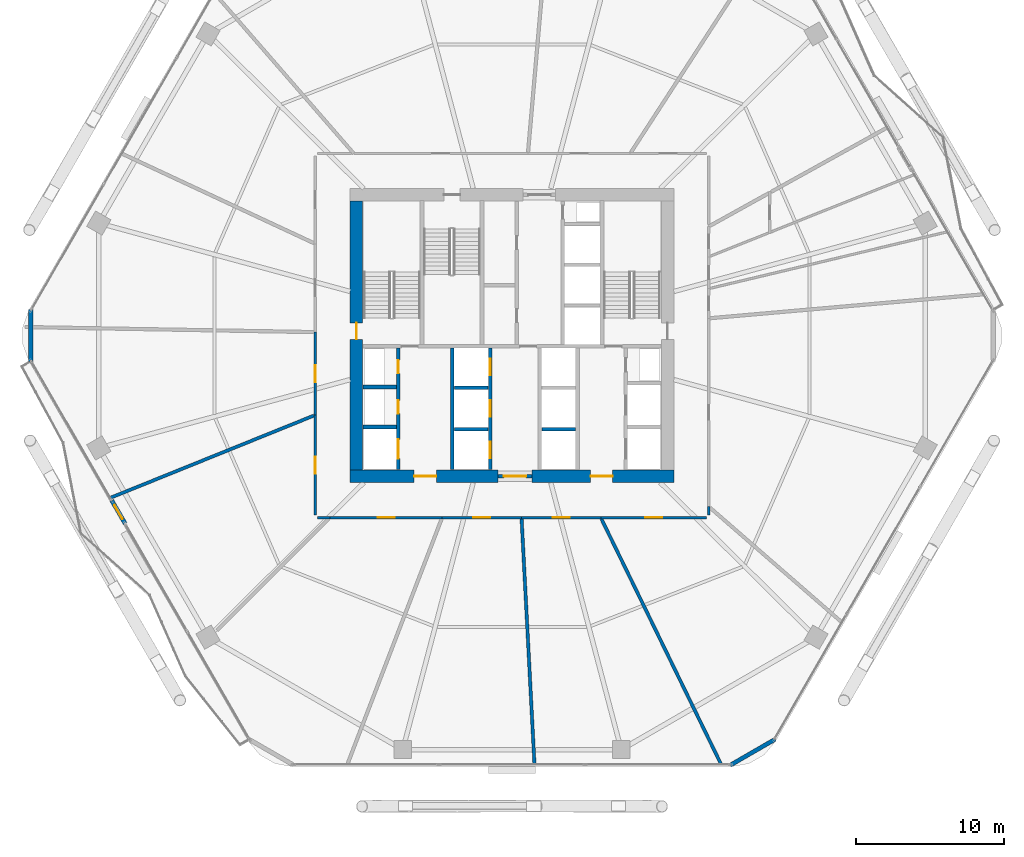
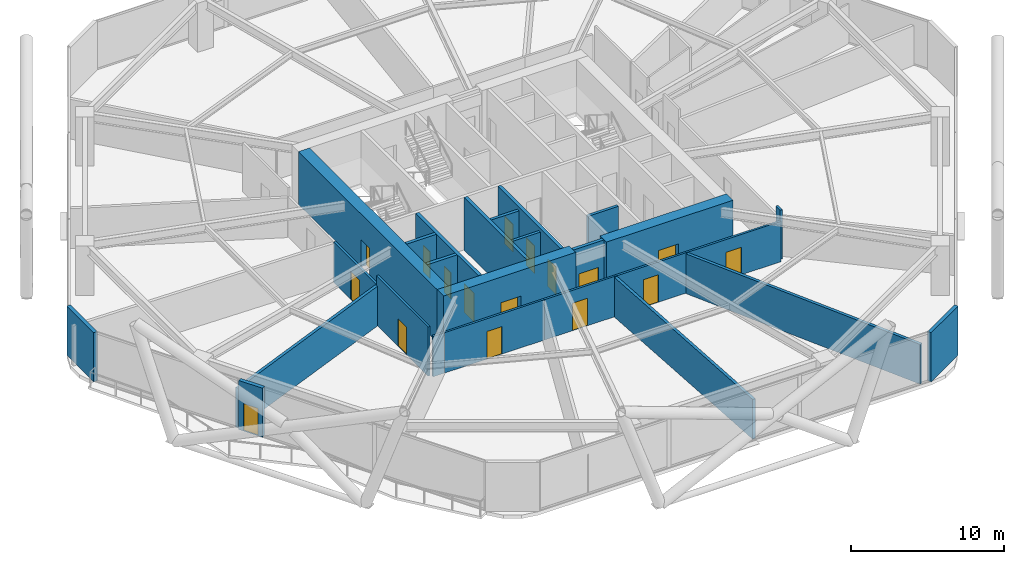
# One storey, part 25 of 30: 26 walls, 17 doors, 17 openings.
"""IFC4 building model written with IfcOpenShell, lengths in metres."""

from ifc_helpers import new_model, si_unit, direction, frame, frame_2d, origin, place, context, subcontext, project, spatial, rectangle, extrude, material, layer, layer_set, type_object, element, fill, save


model = new_model("IFC4")

# Units and contexts
model_context = context("Model", 3, precision=1e-05, world=origin(), true_north=direction((0.0, 1.0)))
body_context = subcontext(model_context, "Body", "Model", "MODEL_VIEW")
ifc_project = project(units=[si_unit("LENGTHUNIT", "METRE"), si_unit("AREAUNIT", "SQUARE_METRE"), si_unit("VOLUMEUNIT", "CUBIC_METRE"), si_unit("PLANEANGLEUNIT", "RADIAN"), si_unit("MASSUNIT", "GRAM", prefix="KILO")], contexts=[model_context])

# Site, building, storey
site_placement = place(None, origin())
site = spatial("IfcSite", under=ifc_project, at=site_placement, CompositionType="ELEMENT")
building_placement = place(site_placement, origin())
building = spatial("IfcBuilding", under=site, at=building_placement, Name="Zuhravey Tower", CompositionType="ELEMENT")
storey_placement = place(building_placement, frame((0.0, 0.0, 16.199951171875)))
storey = spatial("IfcBuildingStorey", under=building, at=storey_placement, Name="L04", CompositionType="ELEMENT", Elevation=16.199951171875)

# Wall, opening, door
ifc_material_1 = material(Name="Concrete C60/75", Category="concrete")
ifc_layer_1 = layer(ifc_material_1, 0.85009765625)
ifc_layer_set_1 = layer_set([ifc_layer_1], Name="Concrete C60/75")
wall_type_1 = type_object("IfcWallType", Name="Core Shear Wall 850", PredefinedType="SHEAR", material=ifc_layer_set_1)
wall_1_placement = place(storey_placement, frame((25.074951171875, 22.5, 0.0), z_axis=(0.0, 0.0, 1.0), x_axis=(1.0, 0.0, 0.0)))
wall_1 = element("IfcWall", 1, at=wall_1_placement, inside=storey, type_object=wall_type_1, Name="L04 South-West Core Shear Wall CW85", PredefinedType="SHEAR", context=body_context, shape_type="SweptSolid", body=[
    extrude(rectangle(XDim=9.97509765625, YDim=0.85009765625, at=frame_2d((4.987548828125, 0.0))), origin(), (0.0, 0.0, 1.0), 4.199951171875),
])
opening_1_placement = place(wall_1_placement, frame((4.324951171875, 0.0, 0.0)))
opening_1 = element("IfcOpeningElement", 2, at=opening_1_placement, cuts=wall_1, Name="Opening FFD1", PredefinedType="OPENING", context=body_context, shape_type="SweptSolid", body=[
    extrude(rectangle(XDim=1.5, YDim=2.14990234375, at=frame_2d((0.75, 1.074951171875))), frame((0.0, 0.43701171875, 0.0), z_axis=(0.0, -1.0, 0.0), x_axis=(1.0, 0.0, 0.0)), (0.0, 0.0, 1.0), 0.8740234375),
])
ifc_material_2 = material(Name="Galvanised fire-rated steel leaf", Category="steel")
door_type_1 = type_object("IfcDoorType", Name="Firefighting Lobby Double Door 1500x2150", OperationType="DOUBLE_DOOR_SINGLE_SWING", PredefinedType="DOOR", material=ifc_material_2)
door_1_placement = place(opening_1_placement, origin())
door_1 = element("IfcDoor", 3, at=door_1_placement, inside=storey, type_object=door_type_1, Name="L04 Firefighting Lobby West Door", OperationType="DOUBLE_DOOR_SINGLE_SWING", OverallHeight=2.14990234375, OverallWidth=1.5, PredefinedType="DOOR", context=body_context, shape_type="SweptSolid", body=[
    extrude(rectangle(XDim=1.5, YDim=2.14990234375, at=frame_2d((0.75, 1.074951171875))), frame((0.0, 0.02490234375, 0.0), z_axis=(0.0, -1.0, 0.0), x_axis=(1.0, 0.0, 0.0)), (0.0, 0.0, 1.0), 0.050048828125),
])
fill(opening_1, door_1)

wall_2_placement = place(storey_placement, frame((37.35009765625, 22.5, 0.0), z_axis=(0.0, 0.0, 1.0), x_axis=(1.0, 0.0, 0.0)))
wall_2 = element("IfcWall", 4, at=wall_2_placement, inside=storey, type_object=wall_type_1, Name="L04 South-East Core Shear Wall CW85", PredefinedType="SHEAR", context=body_context, shape_type="SweptSolid", body=[
    extrude(rectangle(XDim=9.574951171875, YDim=0.85009765625, at=frame_2d((4.78759765625, 0.0))), origin(), (0.0, 0.0, 1.0), 4.199951171875),
])
opening_2_placement = place(wall_2_placement, frame((3.949951171875, 0.0, 0.0)))
opening_2 = element("IfcOpeningElement", 5, at=opening_2_placement, cuts=wall_2, Name="Opening FFD1", PredefinedType="OPENING", context=body_context, shape_type="SweptSolid", body=[
    extrude(rectangle(XDim=1.5, YDim=2.14990234375, at=frame_2d((0.75, 1.074951171875))), frame((0.0, 0.43701171875, 0.0), z_axis=(0.0, -1.0, 0.0), x_axis=(1.0, 0.0, 0.0)), (0.0, 0.0, 1.0), 0.8740234375),
])
door_2_placement = place(opening_2_placement, origin())
door_2 = element("IfcDoor", 6, at=door_2_placement, inside=storey, type_object=door_type_1, Name="L04 Firefighting Lobby East Door", OperationType="DOUBLE_DOOR_SINGLE_SWING", OverallHeight=2.14990234375, OverallWidth=1.5, PredefinedType="DOOR", context=body_context, shape_type="SweptSolid", body=[
    extrude(rectangle(XDim=1.5, YDim=2.14990234375, at=frame_2d((0.75, 1.074951171875))), frame((0.0, 0.02490234375, 0.0), z_axis=(0.0, -1.0, 0.0), x_axis=(1.0, 0.0, 0.0)), (0.0, 0.0, 1.0), 0.050048828125),
])
fill(opening_2, door_2)

wall_3_placement = place(storey_placement, frame((25.5, 22.925048828125, 0.0), z_axis=(0.0, 0.0, 1.0), x_axis=(0.0, 1.0, 0.0)))
wall_3 = element("IfcWall", 7, at=wall_3_placement, inside=storey, type_object=wall_type_1, Name="L04 West Core Shear Wall CW85", PredefinedType="SHEAR", context=body_context, shape_type="SweptSolid", body=[
    extrude(rectangle(XDim=18.14990234375, YDim=0.85009765625, at=frame_2d((9.074951171875, 0.0))), origin(), (0.0, 0.0, 1.0), 4.199951171875),
])
opening_3_placement = place(wall_3_placement, frame((8.824951171875, 0.0, 0.0)))
opening_3 = element("IfcOpeningElement", 8, at=opening_3_placement, cuts=wall_3, Name="Opening STD1", PredefinedType="OPENING", context=body_context, shape_type="SweptSolid", body=[
    extrude(rectangle(XDim=1.10009765625, YDim=2.14990234375, at=frame_2d((0.550048828125, 1.074951171875))), frame((0.0, 0.43701171875, 0.0), z_axis=(0.0, -1.0, 0.0), x_axis=(1.0, 0.0, 0.0)), (0.0, 0.0, 1.0), 0.8740234375),
])
door_type_2 = type_object("IfcDoorType", Name="Protected Stair Fire Door 1100x2150", OperationType="NOTDEFINED", PredefinedType="USERDEFINED", material=ifc_material_2)
door_3_placement = place(opening_3_placement, frame((1.10009765625, 0.0, 0.0), z_axis=(0.0, 0.0, 1.0), x_axis=(-1.0, 0.0, 0.0)))
door_3 = element("IfcDoor", 9, at=door_3_placement, inside=storey, type_object=door_type_2, Name="L04 Stair ST1 Door", ObjectType="EXITDOOR", OperationType="SINGLE_SWING_RIGHT", OverallHeight=2.14990234375, OverallWidth=1.10009765625, PredefinedType="USERDEFINED", context=body_context, shape_type="SweptSolid", body=[
    extrude(rectangle(XDim=1.10009765625, YDim=2.14990234375, at=frame_2d((0.550048828125, 1.074951171875))), frame((0.0, 0.02490234375, 0.0), z_axis=(0.0, -1.0, 0.0), x_axis=(1.0, 0.0, 0.0)), (0.0, 0.0, 1.0), 0.050048828125),
])
fill(opening_3, door_3)

ifc_material_3 = material(Name="Gypsum fire-rated stud partition")
ifc_layer_2 = layer(ifc_material_3, 0.159912109375)
ifc_layer_set_2 = layer_set([ifc_layer_2], Name="Gypsum fire-rated stud partition")
wall_type_2 = type_object("IfcWallType", Name="Corridor Fire Partition 160", PredefinedType="PARTITIONING", material=ifc_layer_set_2)
wall_4_placement = place(storey_placement, frame((22.715087890625, 32.23193359375, 0.0), z_axis=(0.0, 0.0, 1.0), x_axis=(0.0, -1.0, 0.0)))
wall_4 = element("IfcWall", 10, at=wall_4_placement, inside=storey, type_object=wall_type_2, Name="L04 IW16 Partition 028", PredefinedType="PARTITIONING", context=body_context, shape_type="SweptSolid", body=[
    extrude(rectangle(XDim=5.599365234375, YDim=0.159912109375, at=frame_2d((2.7998046875, 0.0))), origin(), (0.0, 0.0, 1.0), 3.219970703125),
])
opening_4_placement = place(wall_4_placement, frame((2.224609375, 0.0, 0.0)))
opening_4 = element("IfcOpeningElement", 11, at=opening_4_placement, cuts=wall_4, Name="Opening CLD1", PredefinedType="OPENING", context=body_context, shape_type="SweptSolid", body=[
    extrude(rectangle(XDim=1.14990234375, YDim=2.199951171875, at=frame_2d((0.574951171875, 1.10009765625))), frame((0.0, 0.092041015625, 0.0), z_axis=(0.0, -1.0, 0.0), x_axis=(1.0, 0.0, 0.0)), (0.0, 0.0, 1.0), 0.183837890625),
])
ifc_material_4 = material(Name="Acoustic timber leaf with vision lite", Category="wood")
door_type_3 = type_object("IfcDoorType", Name="Classroom Acoustic Door 1150x2200", OperationType="NOTDEFINED", PredefinedType="DOOR", material=ifc_material_4)
door_4_placement = place(opening_4_placement, frame((1.14990234375, 0.0, 0.0), z_axis=(0.0, 0.0, 1.0), x_axis=(-1.0, 0.0, 0.0)))
door_4 = element("IfcDoor", 12, at=door_4_placement, inside=storey, type_object=door_type_3, Name="L04 Door 028.1", OperationType="SINGLE_SWING_LEFT", OverallHeight=2.199951171875, OverallWidth=1.14990234375, PredefinedType="DOOR", context=body_context, shape_type="SweptSolid", body=[
    extrude(rectangle(XDim=1.14990234375, YDim=2.199951171875, at=frame_2d((0.574951171875, 1.10009765625))), frame((0.0, 0.02490234375, 0.0), z_axis=(0.0, -1.0, 0.0), x_axis=(1.0, 0.0, 0.0)), (0.0, 0.0, 1.0), 0.050048828125),
])
fill(opening_4, door_4)

wall_5_placement = place(storey_placement, frame((22.715087890625, 26.632568359375, 0.0), z_axis=(0.0, 0.0, 1.0), x_axis=(0.0, -1.0, 0.0)))
wall_5 = element("IfcWall", 13, at=wall_5_placement, inside=storey, type_object=wall_type_2, Name="L04 IW16 Partition 029", PredefinedType="PARTITIONING", context=body_context, shape_type="SweptSolid", body=[
    extrude(rectangle(XDim=6.757568359375, YDim=0.159912109375, at=frame_2d((3.37890625, 0.0))), origin(), (0.0, 0.0, 1.0), 3.920166015625),
])
opening_5_placement = place(wall_5_placement, frame((2.8037109375, 0.0, 0.0)))
opening_5 = element("IfcOpeningElement", 14, at=opening_5_placement, cuts=wall_5, Name="Opening CLD1", PredefinedType="OPENING", context=body_context, shape_type="SweptSolid", body=[
    extrude(rectangle(XDim=1.14990234375, YDim=2.199951171875, at=frame_2d((0.574951171875, 1.10009765625))), frame((0.0, 0.092041015625, 0.0), z_axis=(0.0, -1.0, 0.0), x_axis=(1.0, 0.0, 0.0)), (0.0, 0.0, 1.0), 0.183837890625),
])
door_5_placement = place(opening_5_placement, frame((1.14990234375, 0.0, 0.0), z_axis=(0.0, 0.0, 1.0), x_axis=(-1.0, 0.0, 0.0)))
door_5 = element("IfcDoor", 15, at=door_5_placement, inside=storey, type_object=door_type_3, Name="L04 Door 029.1", OperationType="SINGLE_SWING_RIGHT", OverallHeight=2.199951171875, OverallWidth=1.14990234375, PredefinedType="DOOR", context=body_context, shape_type="SweptSolid", body=[
    extrude(rectangle(XDim=1.14990234375, YDim=2.199951171875, at=frame_2d((0.574951171875, 1.10009765625))), frame((0.0, 0.02490234375, 0.0), z_axis=(0.0, -1.0, 0.0), x_axis=(1.0, 0.0, 0.0)), (0.0, 0.0, 1.0), 0.050048828125),
])
fill(opening_5, door_5)

wall_6_placement = place(storey_placement, frame((23.715087890625, 19.715087890625, 0.0), z_axis=(0.0, 0.0, 1.0), x_axis=(1.0, 0.0, 0.0)))
wall_6 = element("IfcWall", 16, at=wall_6_placement, inside=storey, type_object=wall_type_2, Name="L04 IW16 Partition 030", PredefinedType="PARTITIONING", context=body_context, shape_type="SweptSolid", body=[
    extrude(rectangle(XDim=7.569091796875, YDim=0.159912109375, at=frame_2d((3.78466796875, 0.0))), origin(), (0.0, 0.0, 1.0), 3.219970703125),
])
opening_6_placement = place(wall_6_placement, frame((3.209716796875, 0.0, 0.0)))
opening_6 = element("IfcOpeningElement", 17, at=opening_6_placement, cuts=wall_6, Name="Opening CLD1", PredefinedType="OPENING", context=body_context, shape_type="SweptSolid", body=[
    extrude(rectangle(XDim=1.14990234375, YDim=2.199951171875, at=frame_2d((0.574951171875, 1.10009765625))), frame((0.0, 0.092041015625, 0.0), z_axis=(0.0, -1.0, 0.0), x_axis=(1.0, 0.0, 0.0)), (0.0, 0.0, 1.0), 0.183837890625),
])
door_6_placement = place(opening_6_placement, frame((1.14990234375, 0.0, 0.0), z_axis=(0.0, 0.0, 1.0), x_axis=(-1.0, 0.0, 0.0)))
door_6 = element("IfcDoor", 18, at=door_6_placement, inside=storey, type_object=door_type_3, Name="L04 Door 030.1", OperationType="SINGLE_SWING_LEFT", OverallHeight=2.199951171875, OverallWidth=1.14990234375, PredefinedType="DOOR", context=body_context, shape_type="SweptSolid", body=[
    extrude(rectangle(XDim=1.14990234375, YDim=2.199951171875, at=frame_2d((0.574951171875, 1.10009765625))), frame((0.0, 0.02490234375, 0.0), z_axis=(0.0, -1.0, 0.0), x_axis=(1.0, 0.0, 0.0)), (0.0, 0.0, 1.0), 0.050048828125),
])
fill(opening_6, door_6)

wall_7_placement = place(storey_placement, frame((31.2841796875, 19.715087890625, 0.0), z_axis=(0.0, 0.0, 1.0), x_axis=(1.0, 0.0, 0.0)))
wall_7 = element("IfcWall", 19, at=wall_7_placement, inside=storey, type_object=wall_type_2, Name="L04 IW16 Partition 031", PredefinedType="PARTITIONING", context=body_context, shape_type="SweptSolid", body=[
    extrude(rectangle(XDim=5.359619140625, YDim=0.159912109375, at=frame_2d((2.6796875, 0.0))), origin(), (0.0, 0.0, 1.0), 3.219970703125),
])
opening_7_placement = place(wall_7_placement, frame((2.104736328125, 0.0, 0.0)))
opening_7 = element("IfcOpeningElement", 20, at=opening_7_placement, cuts=wall_7, Name="Opening CLD1", PredefinedType="OPENING", context=body_context, shape_type="SweptSolid", body=[
    extrude(rectangle(XDim=1.14990234375, YDim=2.199951171875, at=frame_2d((0.574951171875, 1.10009765625))), frame((0.0, 0.092041015625, 0.0), z_axis=(0.0, -1.0, 0.0), x_axis=(1.0, 0.0, 0.0)), (0.0, 0.0, 1.0), 0.183837890625),
])
door_7_placement = place(opening_7_placement, frame((1.14990234375, 0.0, 0.0), z_axis=(0.0, 0.0, 1.0), x_axis=(-1.0, 0.0, 0.0)))
door_7 = element("IfcDoor", 21, at=door_7_placement, inside=storey, type_object=door_type_3, Name="L04 Door 031.1", OperationType="SINGLE_SWING_RIGHT", OverallHeight=2.199951171875, OverallWidth=1.14990234375, PredefinedType="DOOR", context=body_context, shape_type="SweptSolid", body=[
    extrude(rectangle(XDim=1.14990234375, YDim=2.199951171875, at=frame_2d((0.574951171875, 1.10009765625))), frame((0.0, 0.02490234375, 0.0), z_axis=(0.0, -1.0, 0.0), x_axis=(1.0, 0.0, 0.0)), (0.0, 0.0, 1.0), 0.050048828125),
])
fill(opening_7, door_7)

wall_8_placement = place(storey_placement, frame((36.643798828125, 19.715087890625, 0.0), z_axis=(0.0, 0.0, 1.0), x_axis=(1.0, 0.0, 0.0)))
wall_8 = element("IfcWall", 22, at=wall_8_placement, inside=storey, type_object=wall_type_2, Name="L04 IW16 Partition 032", PredefinedType="PARTITIONING", context=body_context, shape_type="SweptSolid", body=[
    extrude(rectangle(XDim=5.347900390625, YDim=0.159912109375, at=frame_2d((2.673828125, 0.0))), origin(), (0.0, 0.0, 1.0), 3.219970703125),
])
opening_8_placement = place(wall_8_placement, frame((2.09912109375, 0.0, 0.0)))
opening_8 = element("IfcOpeningElement", 23, at=opening_8_placement, cuts=wall_8, Name="Opening CLD1", PredefinedType="OPENING", context=body_context, shape_type="SweptSolid", body=[
    extrude(rectangle(XDim=1.14990234375, YDim=2.199951171875, at=frame_2d((0.574951171875, 1.10009765625))), frame((0.0, 0.092041015625, 0.0), z_axis=(0.0, -1.0, 0.0), x_axis=(1.0, 0.0, 0.0)), (0.0, 0.0, 1.0), 0.183837890625),
])
door_8_placement = place(opening_8_placement, frame((1.14990234375, 0.0, 0.0), z_axis=(0.0, 0.0, 1.0), x_axis=(-1.0, 0.0, 0.0)))
door_8 = element("IfcDoor", 24, at=door_8_placement, inside=storey, type_object=door_type_3, Name="L04 Door 032.1", OperationType="SINGLE_SWING_LEFT", OverallHeight=2.199951171875, OverallWidth=1.14990234375, PredefinedType="DOOR", context=body_context, shape_type="SweptSolid", body=[
    extrude(rectangle(XDim=1.14990234375, YDim=2.199951171875, at=frame_2d((0.574951171875, 1.10009765625))), frame((0.0, 0.02490234375, 0.0), z_axis=(0.0, -1.0, 0.0), x_axis=(1.0, 0.0, 0.0)), (0.0, 0.0, 1.0), 0.050048828125),
])
fill(opening_8, door_8)

wall_9_placement = place(storey_placement, frame((41.99169921875, 19.715087890625, 0.0), z_axis=(0.0, 0.0, 1.0), x_axis=(1.0, 0.0, 0.0)))
wall_9 = element("IfcWall", 25, at=wall_9_placement, inside=storey, type_object=wall_type_2, Name="L04 IW16 Partition 033", PredefinedType="PARTITIONING", context=body_context, shape_type="SweptSolid", body=[
    extrude(rectangle(XDim=7.13330078125, YDim=0.159912109375, at=frame_2d((3.566650390625, 0.0))), origin(), (0.0, 0.0, 1.0), 3.219970703125),
])
opening_9_placement = place(wall_9_placement, frame((2.99169921875, 0.0, 0.0)))
opening_9 = element("IfcOpeningElement", 26, at=opening_9_placement, cuts=wall_9, Name="Opening CLD1", PredefinedType="OPENING", context=body_context, shape_type="SweptSolid", body=[
    extrude(rectangle(XDim=1.14990234375, YDim=2.199951171875, at=frame_2d((0.574951171875, 1.10009765625))), frame((0.0, 0.092041015625, 0.0), z_axis=(0.0, -1.0, 0.0), x_axis=(1.0, 0.0, 0.0)), (0.0, 0.0, 1.0), 0.183837890625),
])
door_9_placement = place(opening_9_placement, frame((1.14990234375, 0.0, 0.0), z_axis=(0.0, 0.0, 1.0), x_axis=(-1.0, 0.0, 0.0)))
door_9 = element("IfcDoor", 27, at=door_9_placement, inside=storey, type_object=door_type_3, Name="L04 Door 033.1", OperationType="SINGLE_SWING_RIGHT", OverallHeight=2.199951171875, OverallWidth=1.14990234375, PredefinedType="DOOR", context=body_context, shape_type="SweptSolid", body=[
    extrude(rectangle(XDim=1.14990234375, YDim=2.199951171875, at=frame_2d((0.574951171875, 1.10009765625))), frame((0.0, 0.02490234375, 0.0), z_axis=(0.0, -1.0, 0.0), x_axis=(1.0, 0.0, 0.0)), (0.0, 0.0, 1.0), 0.050048828125),
])
fill(opening_9, door_9)

# Walls
wall_10_placement = place(storey_placement, frame((22.875, 19.715087890625, 0.0), z_axis=(0.0, 0.0, 1.0), x_axis=(1.0, 0.0, 0.0)))
element("IfcWall", 28, at=wall_10_placement, inside=storey, type_object=wall_type_2, Name="L04 IW16 Partition 057", PredefinedType="PARTITIONING", context=body_context, shape_type="SweptSolid", body=[
    extrude(rectangle(XDim=0.840087890625, YDim=0.159912109375, at=frame_2d((0.419921875, 0.0))), origin(), (0.0, 0.0, 1.0), 3.219970703125),
])
wall_11_placement = place(storey_placement, frame((49.284912109375, 19.875, 0.0), z_axis=(0.0, 0.0, 1.0), x_axis=(0.0, 1.0, 0.0)))
element("IfcWall", 29, at=wall_11_placement, inside=storey, type_object=wall_type_2, Name="L04 IW16 Partition 062", PredefinedType="PARTITIONING", context=body_context, shape_type="SweptSolid", body=[
    extrude(rectangle(XDim=0.576416015625, YDim=0.159912109375, at=frame_2d((0.2880859375, 0.0))), origin(), (0.0, 0.0, 1.0), 3.920166015625),
])
ifc_material_5 = material(Name="Precast concrete C40/50", Category="concrete")
ifc_layer_3 = layer(ifc_material_5, 0.280029296875)
ifc_layer_set_3 = layer_set([ifc_layer_3], Name="Precast concrete C40/50")
wall_type_3 = type_object("IfcWallType", Name="Crown Architectural Wall 280", PredefinedType="SOLIDWALL", material=ifc_layer_set_3)
wall_12_placement = place(storey_placement, frame((53.76123046875, 4.75146484375, 0.0), z_axis=(0.0, 0.0, 1.0), x_axis=(-0.866007452331, -0.500031091541, 0.0)))
element("IfcWall", 30, at=wall_12_placement, inside=storey, type_object=wall_type_3, Name="L04 Rounded Corner Closure Wall EW28-02", PredefinedType="SOLIDWALL", context=body_context, shape_type="SweptSolid", body=[
    extrude(rectangle(XDim=3.514892578125, YDim=0.280029296875, at=frame_2d((1.75732421875, 0.0))), origin(), (0.0, 0.0, 1.0), 3.920166015625),
])

# Wall, opening, door
wall_13_placement = place(storey_placement, frame((9.885986328125, 19.31396484375, 0.0), z_axis=(0.0, 0.0, 1.0), x_axis=(-0.499982180423, 0.866035691677, 0.0)))
wall_13 = element("IfcWall", 31, at=wall_13_placement, inside=storey, type_object=wall_type_3, Name="L04 Face 4 Facade Pier EW28-1", PredefinedType="SOLIDWALL", context=body_context, shape_type="SweptSolid", body=[
    extrude(rectangle(XDim=1.7900390625, YDim=0.280029296875, at=frame_2d((0.89501953125, 0.0))), origin(), (0.0, 0.0, 1.0), 3.920166015625),
])
opening_10_placement = place(wall_13_placement, frame((0.344970703125, 0.0, 0.0)))
opening_10 = element("IfcOpeningElement", 32, at=opening_10_placement, cuts=wall_13, Name="Opening BLD1", PredefinedType="OPENING", context=body_context, shape_type="SweptSolid", body=[
    extrude(rectangle(XDim=1.10009765625, YDim=2.199951171875, at=frame_2d((0.550048828125, 1.10009765625))), frame((0.0, 0.152099609375, 0.0), z_axis=(0.0, -1.0, 0.0), x_axis=(1.0, 0.0, 0.0)), (0.0, 0.0, 1.0), 0.303955078125),
])
ifc_material_6 = material(Name="Thermally broken aluminium and low-E glass", Category="aluminium")
door_type_4 = type_object("IfcDoorType", Name="Balcony & Sky-Tray Glazed Door 1100x2200", OperationType="NOTDEFINED", PredefinedType="DOOR", material=ifc_material_6)
door_10_placement = place(opening_10_placement, frame((1.10009765625, 0.0, 0.0), z_axis=(0.0, 0.0, 1.0), x_axis=(-1.0, 0.0, 0.0)))
door_10 = element("IfcDoor", 33, at=door_10_placement, inside=storey, type_object=door_type_4, Name="L04 Face 4 School Wave Terrace Door", OperationType="SINGLE_SWING_RIGHT", OverallHeight=2.199951171875, OverallWidth=1.10009765625, PredefinedType="DOOR", context=body_context, shape_type="SweptSolid", body=[
    extrude(rectangle(XDim=1.10009765625, YDim=2.199951171875, at=frame_2d((0.550048828125, 1.10009765625))), frame((0.0, 0.02490234375, 0.0), z_axis=(0.0, -1.0, 0.0), x_axis=(1.0, 0.0, 0.0)), (0.0, 0.0, 1.0), 0.050048828125),
])
fill(opening_10, door_10)

# Wall
wall_14_placement = place(storey_placement, frame((3.521484375, 30.242431640625, 0.0), z_axis=(0.0, 0.0, 1.0), x_axis=(0.0, 1.0, 0.0)))
element("IfcWall", 34, at=wall_14_placement, inside=storey, type_object=wall_type_3, Name="L04 Rounded Corner Closure Wall EW28-06", PredefinedType="SOLIDWALL", context=body_context, shape_type="SweptSolid", body=[
    extrude(rectangle(XDim=3.51513671875, YDim=0.280029296875, at=frame_2d((1.757568359375, 0.0))), origin(), (0.0, 0.0, 1.0), 3.920166015625),
])

# Wall, opening, door
ifc_material_7 = material(Name="Concrete C50/60", Category="concrete")
ifc_layer_4 = layer(ifc_material_7, 0.25)
ifc_layer_set_4 = layer_set([ifc_layer_4], Name="Concrete C50/60")
wall_type_4 = type_object("IfcWallType", Name="Firefighting Shaft & Stair Wall 250", PredefinedType="SOLIDWALL", material=ifc_layer_set_4)
wall_15_placement = place(storey_placement, frame((35.06005859375, 22.5, 0.0), z_axis=(0.0, 0.0, 1.0), x_axis=(1.0, 0.0, 0.0)))
wall_15 = element("IfcWall", 35, at=wall_15_placement, inside=storey, type_object=wall_type_4, Name="L04 FW25 Shaft Wall 001", PredefinedType="SOLIDWALL", context=body_context, shape_type="SweptSolid", body=[
    extrude(rectangle(XDim=2.280029296875, YDim=0.25, at=frame_2d((1.14013671875, 0.0))), origin(), (0.0, 0.0, 1.0), 4.199951171875),
])
opening_11_placement = place(wall_15_placement, frame((0.389892578125, 0.0, 0.0)))
opening_11 = element("IfcOpeningElement", 36, at=opening_11_placement, cuts=wall_15, Name="Opening FFD1", PredefinedType="OPENING", context=body_context, shape_type="SweptSolid", body=[
    extrude(rectangle(XDim=1.5, YDim=2.14990234375, at=frame_2d((0.75, 1.074951171875))), frame((0.0, 0.136962890625, 0.0), z_axis=(0.0, -1.0, 0.0), x_axis=(1.0, 0.0, 0.0)), (0.0, 0.0, 1.0), 0.27392578125),
])
door_11_placement = place(opening_11_placement, frame((1.5, 0.0, 0.0), z_axis=(0.0, 0.0, 1.0), x_axis=(-1.0, 0.0, 0.0)))
door_11 = element("IfcDoor", 37, at=door_11_placement, inside=storey, type_object=door_type_1, Name="L04 South Lift Lobby Exit Door", OperationType="DOUBLE_DOOR_SINGLE_SWING", OverallHeight=2.14990234375, OverallWidth=1.5, PredefinedType="DOOR", context=body_context, shape_type="SweptSolid", body=[
    extrude(rectangle(XDim=1.5, YDim=2.14990234375, at=frame_2d((0.75, 1.074951171875))), frame((0.0, 0.02490234375, 0.0), z_axis=(0.0, -1.0, 0.0), x_axis=(1.0, 0.0, 0.0)), (0.0, 0.0, 1.0), 0.050048828125),
])
fill(opening_11, door_11)

# Walls
for number, where, z_axis, x_axis, name in (
    (38, (25.949951171875, 25.824951171875, 0.0), (0.0, 0.0, 1.0), (1.0, 0.0, 0.0), "L04 FW25 Shaft Wall 009"),
    (39, (25.949951171875, 28.52490234375, 0.0), (0.0, 0.0, 1.0), (1.0, 0.0, 0.0), "L04 FW25 Shaft Wall 010"),
):
    element("IfcWall", number, at=place(storey_placement, frame(where, z_axis=z_axis, x_axis=x_axis)), inside=storey, type_object=wall_type_4, Name=name, PredefinedType="SOLIDWALL", context=body_context, shape_type="SweptSolid", body=[
        extrude(rectangle(XDim=2.25, YDim=0.25, at=frame_2d((1.125, 0.0))), origin(), (0.0, 0.0, 1.0), 4.199951171875),
    ])

# Wall, openings, doors
wall_16_placement = place(storey_placement, frame((28.324951171875, 22.949951171875, 0.0), z_axis=(0.0, 0.0, 1.0), x_axis=(0.0, 1.0, 0.0)))
wall_16 = element("IfcWall", 40, at=wall_16_placement, inside=storey, type_object=wall_type_4, Name="L04 FW25 Shaft Wall 011", PredefinedType="SOLIDWALL", context=body_context, shape_type="SweptSolid", body=[
    extrude(rectangle(XDim=8.199951171875, YDim=0.25, at=frame_2d((4.10009765625, 0.0))), origin(), (0.0, 0.0, 1.0), 4.199951171875),
])
opening_12_placement = place(wall_16_placement, frame((0.75, 0.0, 0.0)))
opening_12 = element("IfcOpeningElement", 41, at=opening_12_placement, cuts=wall_16, Name="Opening LD2", PredefinedType="OPENING", context=body_context, shape_type="SweptSolid", body=[
    extrude(rectangle(XDim=1.300048828125, YDim=2.300048828125, at=frame_2d((0.64990234375, 1.14990234375))), frame((0.0, 0.136962890625, 0.0), z_axis=(0.0, -1.0, 0.0), x_axis=(1.0, 0.0, 0.0)), (0.0, 0.0, 1.0), 0.27392578125),
])
opening_13_placement = place(wall_16_placement, frame((3.780029296875, 0.0, 0.0)))
opening_13 = element("IfcOpeningElement", 42, at=opening_13_placement, cuts=wall_16, Name="Opening RSD1", PredefinedType="OPENING", context=body_context, shape_type="SweptSolid", body=[
    extrude(rectangle(XDim=0.89990234375, YDim=2.10009765625, at=frame_2d((0.449951171875, 1.050048828125))), frame((0.0, 0.136962890625, 0.0), z_axis=(0.0, -1.0, 0.0), x_axis=(1.0, 0.0, 0.0)), (0.0, 0.0, 1.0), 0.27392578125),
])
opening_14_placement = place(wall_16_placement, frame((6.5, 0.0, 0.0)))
opening_14 = element("IfcOpeningElement", 43, at=opening_14_placement, cuts=wall_16, Name="Opening RSD1", PredefinedType="OPENING", context=body_context, shape_type="SweptSolid", body=[
    extrude(rectangle(XDim=0.89990234375, YDim=2.10009765625, at=frame_2d((0.449951171875, 1.050048828125))), frame((0.0, 0.136962890625, 0.0), z_axis=(0.0, -1.0, 0.0), x_axis=(1.0, 0.0, 0.0)), (0.0, 0.0, 1.0), 0.27392578125),
])
ifc_material_8 = material(Name="Brushed stainless steel", Category="steel")
door_type_5 = type_object("IfcDoorType", Name="Freight & Stretcher Lift Sliding Door 1300x2300", OperationType="DOUBLE_DOOR_SLIDING", PredefinedType="DOOR", material=ifc_material_8)
door_12_placement = place(opening_12_placement, frame((1.300048828125, 0.0, 0.0), z_axis=(0.0, 0.0, 1.0), x_axis=(-1.0, 0.0, 0.0)))
door_12 = element("IfcDoor", 44, at=door_12_placement, inside=storey, type_object=door_type_5, Name="L04 Lift FF1 Landing Door", OperationType="DOUBLE_DOOR_SLIDING", OverallHeight=2.300048828125, OverallWidth=1.300048828125, PredefinedType="DOOR", context=body_context, shape_type="SweptSolid", body=[
    extrude(rectangle(XDim=1.300048828125, YDim=2.300048828125, at=frame_2d((0.64990234375, 1.14990234375))), frame((0.0, 0.02490234375, 0.0), z_axis=(0.0, -1.0, 0.0), x_axis=(1.0, 0.0, 0.0)), (0.0, 0.0, 1.0), 0.050048828125),
])
fill(opening_12, door_12)
ifc_material_9 = material(Name="Galvanised fire-rated steel access leaf", Category="steel")
door_type_6 = type_object("IfcDoorType", Name="Riser & Shaft Access Fire Door 900x2100", OperationType="NOTDEFINED", PredefinedType="DOOR", material=ifc_material_9)
door_13_placement = place(opening_13_placement, frame((0.89990234375, 0.0, 0.0), z_axis=(0.0, 0.0, 1.0), x_axis=(-1.0, 0.0, 0.0)))
door_13 = element("IfcDoor", 45, at=door_13_placement, inside=storey, type_object=door_type_6, Name="L04 Electrical Riser Door", OperationType="SINGLE_SWING_LEFT", OverallHeight=2.10009765625, OverallWidth=0.89990234375, PredefinedType="DOOR", context=body_context, shape_type="SweptSolid", body=[
    extrude(rectangle(XDim=0.89990234375, YDim=2.10009765625, at=frame_2d((0.449951171875, 1.050048828125))), frame((0.0, 0.02490234375, 0.0), z_axis=(0.0, -1.0, 0.0), x_axis=(1.0, 0.0, 0.0)), (0.0, 0.0, 1.0), 0.050048828125),
])
fill(opening_13, door_13)
door_14_placement = place(opening_14_placement, frame((0.89990234375, 0.0, 0.0), z_axis=(0.0, 0.0, 1.0), x_axis=(-1.0, 0.0, 0.0)))
door_14 = element("IfcDoor", 46, at=door_14_placement, inside=storey, type_object=door_type_6, Name="L04 Smoke Shaft Access Door", OperationType="SINGLE_SWING_RIGHT", OverallHeight=2.10009765625, OverallWidth=0.89990234375, PredefinedType="DOOR", context=body_context, shape_type="SweptSolid", body=[
    extrude(rectangle(XDim=0.89990234375, YDim=2.10009765625, at=frame_2d((0.449951171875, 1.050048828125))), frame((0.0, 0.02490234375, 0.0), z_axis=(0.0, -1.0, 0.0), x_axis=(1.0, 0.0, 0.0)), (0.0, 0.0, 1.0), 0.050048828125),
])
fill(opening_14, door_14)

# Wall
wall_17_placement = place(storey_placement, frame((31.97509765625, 22.949951171875, 0.0), z_axis=(0.0, 0.0, 1.0), x_axis=(0.0, 1.0, 0.0)))
element("IfcWall", 47, at=wall_17_placement, inside=storey, type_object=wall_type_4, Name="L04 FW25 Shaft Wall 012", PredefinedType="SOLIDWALL", context=body_context, shape_type="SweptSolid", body=[
    extrude(rectangle(XDim=8.199951171875, YDim=0.25, at=frame_2d((4.10009765625, 0.0))), origin(), (0.0, 0.0, 1.0), 4.199951171875),
])

# Wall, openings, doors
wall_18_placement = place(storey_placement, frame((34.52490234375, 22.949951171875, 0.0), z_axis=(0.0, 0.0, 1.0), x_axis=(0.0, 1.0, 0.0)))
wall_18 = element("IfcWall", 48, at=wall_18_placement, inside=storey, type_object=wall_type_4, Name="L04 FW25 Shaft Wall 013", PredefinedType="SOLIDWALL", context=body_context, shape_type="SweptSolid", body=[
    extrude(rectangle(XDim=8.199951171875, YDim=0.25, at=frame_2d((4.10009765625, 0.0))), origin(), (0.0, 0.0, 1.0), 4.199951171875),
])
opening_15_placement = place(wall_18_placement, frame((0.77490234375, 0.0, 0.0)))
opening_15 = element("IfcOpeningElement", 49, at=opening_15_placement, cuts=wall_18, Name="Opening LD1", PredefinedType="OPENING", context=body_context, shape_type="SweptSolid", body=[
    extrude(rectangle(XDim=1.10009765625, YDim=2.199951171875, at=frame_2d((0.550048828125, 1.10009765625))), frame((0.0, 0.136962890625, 0.0), z_axis=(0.0, -1.0, 0.0), x_axis=(1.0, 0.0, 0.0)), (0.0, 0.0, 1.0), 0.27392578125),
])
opening_16_placement = place(wall_18_placement, frame((3.574951171875, 0.0, 0.0)))
opening_16 = element("IfcOpeningElement", 50, at=opening_16_placement, cuts=wall_18, Name="Opening LD1", PredefinedType="OPENING", context=body_context, shape_type="SweptSolid", body=[
    extrude(rectangle(XDim=1.10009765625, YDim=2.199951171875, at=frame_2d((0.550048828125, 1.10009765625))), frame((0.0, 0.136962890625, 0.0), z_axis=(0.0, -1.0, 0.0), x_axis=(1.0, 0.0, 0.0)), (0.0, 0.0, 1.0), 0.27392578125),
])
opening_17_placement = place(wall_18_placement, frame((6.375, 0.0, 0.0)))
opening_17 = element("IfcOpeningElement", 51, at=opening_17_placement, cuts=wall_18, Name="Opening LD1", PredefinedType="OPENING", context=body_context, shape_type="SweptSolid", body=[
    extrude(rectangle(XDim=1.10009765625, YDim=2.199951171875, at=frame_2d((0.550048828125, 1.10009765625))), frame((0.0, 0.136962890625, 0.0), z_axis=(0.0, -1.0, 0.0), x_axis=(1.0, 0.0, 0.0)), (0.0, 0.0, 1.0), 0.27392578125),
])
door_type_7 = type_object("IfcDoorType", Name="Lift Landing Sliding Door 1100x2200", OperationType="DOUBLE_DOOR_SLIDING", PredefinedType="DOOR", material=ifc_material_8)
door_15_placement = place(opening_15_placement, frame((1.10009765625, 0.0, 0.0), z_axis=(0.0, 0.0, 1.0), x_axis=(-1.0, 0.0, 0.0)))
door_15 = element("IfcDoor", 52, at=door_15_placement, inside=storey, type_object=door_type_7, Name="L04 Lift PL1 Landing Door", OperationType="DOUBLE_DOOR_SLIDING", OverallHeight=2.199951171875, OverallWidth=1.10009765625, PredefinedType="DOOR", context=body_context, shape_type="SweptSolid", body=[
    extrude(rectangle(XDim=1.10009765625, YDim=2.199951171875, at=frame_2d((0.550048828125, 1.10009765625))), frame((0.0, 0.02490234375, 0.0), z_axis=(0.0, -1.0, 0.0), x_axis=(1.0, 0.0, 0.0)), (0.0, 0.0, 1.0), 0.050048828125),
])
fill(opening_15, door_15)
door_16_placement = place(opening_16_placement, frame((1.10009765625, 0.0, 0.0), z_axis=(0.0, 0.0, 1.0), x_axis=(-1.0, 0.0, 0.0)))
door_16 = element("IfcDoor", 53, at=door_16_placement, inside=storey, type_object=door_type_7, Name="L04 Lift PL2 Landing Door", OperationType="DOUBLE_DOOR_SLIDING", OverallHeight=2.199951171875, OverallWidth=1.10009765625, PredefinedType="DOOR", context=body_context, shape_type="SweptSolid", body=[
    extrude(rectangle(XDim=1.10009765625, YDim=2.199951171875, at=frame_2d((0.550048828125, 1.10009765625))), frame((0.0, 0.02490234375, 0.0), z_axis=(0.0, -1.0, 0.0), x_axis=(1.0, 0.0, 0.0)), (0.0, 0.0, 1.0), 0.050048828125),
])
fill(opening_16, door_16)
door_17_placement = place(opening_17_placement, frame((1.10009765625, 0.0, 0.0), z_axis=(0.0, 0.0, 1.0), x_axis=(-1.0, 0.0, 0.0)))
door_17 = element("IfcDoor", 54, at=door_17_placement, inside=storey, type_object=door_type_7, Name="L04 Lift PL3 Landing Door", OperationType="DOUBLE_DOOR_SLIDING", OverallHeight=2.199951171875, OverallWidth=1.10009765625, PredefinedType="DOOR", context=body_context, shape_type="SweptSolid", body=[
    extrude(rectangle(XDim=1.10009765625, YDim=2.199951171875, at=frame_2d((0.550048828125, 1.10009765625))), frame((0.0, 0.02490234375, 0.0), z_axis=(0.0, -1.0, 0.0), x_axis=(1.0, 0.0, 0.0)), (0.0, 0.0, 1.0), 0.050048828125),
])
fill(opening_17, door_17)

# Walls
ifc_material_10 = material(Name="Gypsum acoustic stud assembly")
ifc_layer_5 = layer(ifc_material_10, 0.219970703125)
ifc_layer_set_5 = layer_set([ifc_layer_5], Name="Gypsum acoustic stud assembly")
wall_type_5 = type_object("IfcWallType", Name="School Acoustic Compartment Wall 220", PredefinedType="PARTITIONING", material=ifc_layer_set_5)
for number, where, z_axis, x_axis, name in (
    (55, (32.10791015625, 25.675048828125, 0.0), (0.0, 0.0, 1.0), (1.0, 0.0, 0.0), "L04 IW22 Partition 039"),
    (56, (32.10791015625, 28.47509765625, 0.0), (0.0, 0.0, 1.0), (1.0, 0.0, 0.0), "L04 IW22 Partition 040"),
):
    element("IfcWall", number, at=place(storey_placement, frame(where, z_axis=z_axis, x_axis=x_axis)), inside=storey, type_object=wall_type_5, Name=name, PredefinedType="PARTITIONING", context=body_context, shape_type="SweptSolid", body=[
        extrude(rectangle(XDim=2.2841796875, YDim=0.219970703125, at=frame_2d((1.14208984375, 0.0))), origin(), (0.0, 0.0, 1.0), 3.920166015625),
    ])
wall_19_placement = place(storey_placement, frame((38.008056640625, 25.675048828125, 0.0), z_axis=(0.0, 0.0, 1.0), x_axis=(1.0, 0.0, 0.0)))
element("IfcWall", 57, at=wall_19_placement, inside=storey, type_object=wall_type_5, Name="L04 IW22 Partition 041", PredefinedType="PARTITIONING", context=body_context, shape_type="SweptSolid", body=[
    extrude(rectangle(XDim=2.283935546875, YDim=0.219970703125, at=frame_2d((1.14208984375, 0.0))), origin(), (0.0, 0.0, 1.0), 3.920166015625),
])
wall_20_placement = place(storey_placement, frame((22.626953125, 26.596923828125, 0.0), z_axis=(0.0, 0.0, 1.0), x_axis=(-0.927186166431, -0.3746008713, 0.0)))
element("IfcWall", 58, at=wall_20_placement, inside=storey, type_object=wall_type_5, Name="L04 IW22 Partition 056", PredefinedType="PARTITIONING", context=body_context, shape_type="SweptSolid", body=[
    extrude(rectangle(XDim=14.81982421875, YDim=0.219970703125, at=frame_2d((7.409912109375, 0.0))), origin(), (0.0, 0.0, 1.0), 3.170166015625),
])
wall_21_placement = place(storey_placement, frame((36.6484375, 19.626953125, 0.0), z_axis=(0.0, 0.0, 1.0), x_axis=(0.052331996973, -0.998629742243, 0.0)))
element("IfcWall", 59, at=wall_21_placement, inside=storey, type_object=wall_type_5, Name="L04 IW22 Partition 060", PredefinedType="PARTITIONING", context=body_context, shape_type="SweptSolid", body=[
    extrude(rectangle(XDim=16.608154296875, YDim=0.219970703125, at=frame_2d((8.30419921875, 0.0))), origin(), (0.0, 0.0, 1.0), 3.170166015625),
])
wall_22_placement = place(storey_placement, frame((42.03466796875, 19.626953125, 0.0), z_axis=(0.0, 0.0, 1.0), x_axis=(0.438375147569, -0.898792094977, 0.0)))
element("IfcWall", 60, at=wall_22_placement, inside=storey, type_object=wall_type_5, Name="L04 IW22 Partition 061", PredefinedType="PARTITIONING", context=body_context, shape_type="SweptSolid", body=[
    extrude(rectangle(XDim=18.453125, YDim=0.219970703125, at=frame_2d((9.2265625, 0.0))), origin(), (0.0, 0.0, 1.0), 3.170166015625),
])

save(model, "model.ifc")
